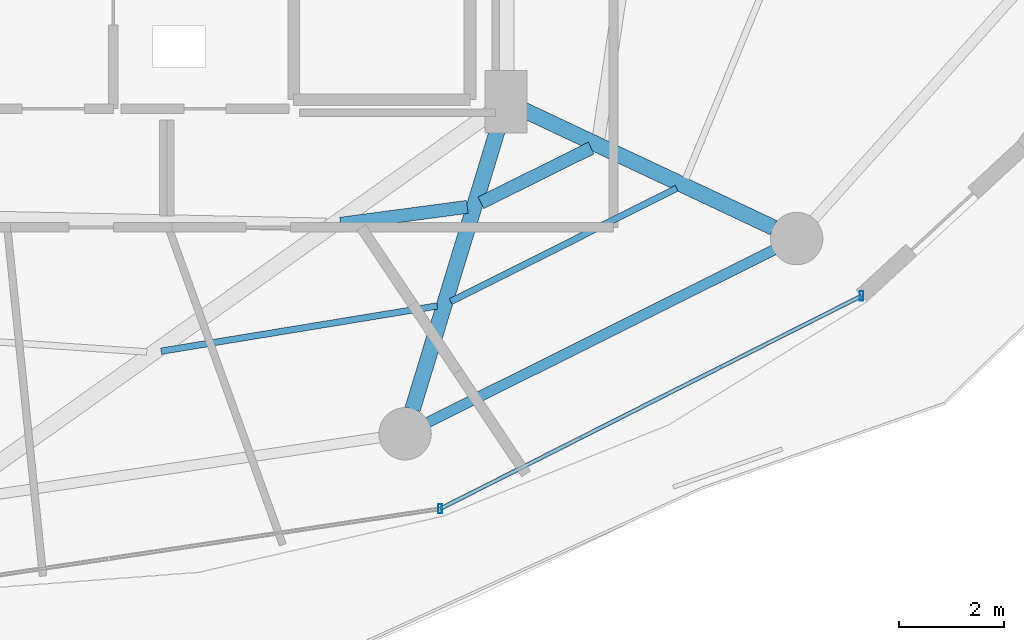
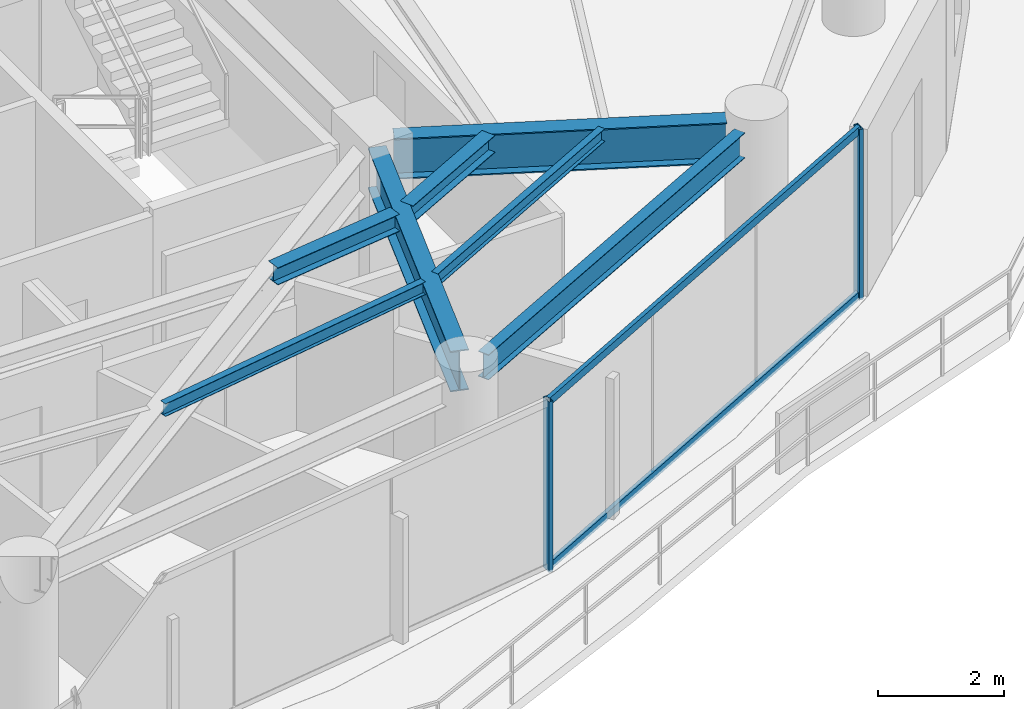
# One storey, part 10 of 29: 7 beams, 4 members, 1 element without a shape of its own.
"""IFC4 building model written with IfcOpenShell, lengths in metres."""

from ifc_helpers import new_model, si_unit, direction, frame, origin, origin_2d, place, context, subcontext, project, spatial, hollow_rectangle, i_section, extrude, material, material_profile, profile_set, type_object, element, aggregate, save


model = new_model("IFC4")

# Units and contexts
model_context = context("Model", 3, precision=1e-05, world=origin(), true_north=direction((0.0, 1.0)))
body_context = subcontext(model_context, "Body", "Model", "MODEL_VIEW")
ifc_project = project(units=[si_unit("LENGTHUNIT", "METRE"), si_unit("AREAUNIT", "SQUARE_METRE"), si_unit("VOLUMEUNIT", "CUBIC_METRE"), si_unit("PLANEANGLEUNIT", "RADIAN"), si_unit("MASSUNIT", "GRAM", prefix="KILO")], contexts=[model_context])

# Site, building, storey
site_placement = place(None, origin())
site = spatial("IfcSite", under=ifc_project, at=site_placement, CompositionType="ELEMENT")
building_placement = place(site_placement, origin())
building = spatial("IfcBuilding", under=site, at=building_placement, Name="Vorneva Point Tower", CompositionType="ELEMENT")
storey_placement = place(building_placement, frame((0.0, 0.0, 150.10009765625)))
storey = spatial("IfcBuildingStorey", under=building, at=storey_placement, Name="L40", CompositionType="ELEMENT", Elevation=150.10009765625)

# Beams
ifc_material_1 = material(Name="Steel S355", Category="steel")
ifc_material_profile_1 = material_profile(ifc_material_1, i_section(OverallWidth=0.300048828125, OverallDepth=0.7880859375, WebThickness=0.014404296875, FlangeThickness=0.02197265625, at=origin_2d()), Name="80Sh1")
ifc_profile_set_1 = profile_set([ifc_material_profile_1], Name="Steel S355")
beam_type_1 = type_object("IfcBeamType", Name="BM-GRD-80Sh1", PredefinedType="USERDEFINED", material=ifc_profile_set_1)
beam_1_placement = place(storey_placement, frame((46.962890625, 10.576171875, 2.845947265625), z_axis=(0.291049382966, 0.95670803105, 0.0), x_axis=(-0.95670803105, 0.291049382966, 0.0)))
element("IfcBeam", 1, at=beam_1_placement, inside=storey, type_object=beam_type_1, Name="L40 Radial Primary Girder 14", ObjectType="GIRDER", PredefinedType="USERDEFINED", context=body_context, shape_type="SweptSolid", body=[
    extrude(i_section(OverallWidth=0.300048828125, OverallDepth=0.7880859375, WebThickness=0.014404296875, FlangeThickness=0.02197265625, at=origin_2d()), origin(), (0.0, 0.0, 1.0), 5.799560546875),
])
beam_2_placement = place(storey_placement, frame((53.857421875, 14.045654296875, 2.845947265625), z_axis=(-0.904761331435, 0.425918927896, 0.0), x_axis=(-0.425918927896, -0.904761331435, 0.0)))
element("IfcBeam", 2, at=beam_2_placement, inside=storey, type_object=beam_type_1, Name="L40 Radial Primary Girder 15", ObjectType="GIRDER", PredefinedType="USERDEFINED", context=body_context, shape_type="SweptSolid", body=[
    extrude(i_section(OverallWidth=0.300048828125, OverallDepth=0.7880859375, WebThickness=0.014404296875, FlangeThickness=0.02197265625, at=origin_2d()), origin(), (0.0, 0.0, 1.0), 5.304931640625),
])
ifc_material_profile_2 = material_profile(ifc_material_1, i_section(OverallWidth=0.1240234375, OverallDepth=0.248046875, WebThickness=0.0048828125, FlangeThickness=0.008056640625, at=origin_2d()), Name="25B1")
ifc_profile_set_2 = profile_set([ifc_material_profile_2], Name="Steel S355")
beam_type_2 = type_object("IfcBeamType", Name="BM-JST-25B1", PredefinedType="JOIST", material=ifc_profile_set_2)
beam_3_placement = place(storey_placement, frame((42.160888671875, 11.686279296875, 3.115966796875), z_axis=(0.986812954533, 0.161864736014, 0.0), x_axis=(-0.161864736014, 0.986812954533, 0.0)))
element("IfcBeam", 3, at=beam_3_placement, inside=storey, type_object=beam_type_2, Name="L40 Secondary Floor Beam 1.13", PredefinedType="JOIST", context=body_context, shape_type="SweptSolid", body=[
    extrude(i_section(OverallWidth=0.1240234375, OverallDepth=0.248046875, WebThickness=0.0048828125, FlangeThickness=0.008056640625, at=origin_2d()), origin(), (0.0, 0.0, 1.0), 5.343994140625),
])
beam_4_placement = place(storey_placement, frame((47.694091796875, 12.635498046875, 3.115966796875), z_axis=(0.893940770693, 0.448185116322, 0.0), x_axis=(-0.448185116322, 0.893940770693, 0.0)))
element("IfcBeam", 4, at=beam_4_placement, inside=storey, type_object=beam_type_2, Name="L40 Secondary Floor Beam 1.14", PredefinedType="JOIST", context=body_context, shape_type="SweptSolid", body=[
    extrude(i_section(OverallWidth=0.1240234375, OverallDepth=0.248046875, WebThickness=0.0048828125, FlangeThickness=0.008056640625, at=origin_2d()), origin(), (0.0, 0.0, 1.0), 4.823486328125),
])
ifc_material_profile_3 = material_profile(ifc_material_1, i_section(OverallWidth=0.2490234375, OverallDepth=0.333984375, WebThickness=0.008056640625, FlangeThickness=0.010986328125, at=origin_2d()), Name="35Sh1")
ifc_profile_set_3 = profile_set([ifc_material_profile_3], Name="Steel S355")
beam_type_3 = type_object("IfcBeamType", Name="BM-SEC-35Sh1", PredefinedType="BEAM", material=ifc_profile_set_3)
beam_5_placement = place(storey_placement, frame((45.587158203125, 14.1201171875, 3.072998046875), z_axis=(0.991280212935, 0.131770783726, 0.0), x_axis=(-0.131770783726, 0.991280212935, 0.0)))
element("IfcBeam", 5, at=beam_5_placement, inside=storey, type_object=beam_type_3, Name="L40 Secondary Floor Beam 2.13", PredefinedType="BEAM", context=body_context, shape_type="SweptSolid", body=[
    extrude(i_section(OverallWidth=0.2490234375, OverallDepth=0.333984375, WebThickness=0.008056640625, FlangeThickness=0.010986328125, at=origin_2d()), origin(), (0.0, 0.0, 1.0), 2.44189453125),
])
beam_6_placement = place(storey_placement, frame((48.268310546875, 14.521484375, 3.072998046875), z_axis=(0.895835455774, 0.444385909068, 0.0), x_axis=(-0.444385909068, 0.895835455774, 0.0)))
element("IfcBeam", 6, at=beam_6_placement, inside=storey, type_object=beam_type_3, Name="L40 Secondary Floor Beam 2.14", PredefinedType="BEAM", context=body_context, shape_type="SweptSolid", body=[
    extrude(i_section(OverallWidth=0.2490234375, OverallDepth=0.333984375, WebThickness=0.008056640625, FlangeThickness=0.010986328125, at=origin_2d()), origin(), (0.0, 0.0, 1.0), 2.350341796875),
])
ifc_material_profile_4 = material_profile(ifc_material_1, i_section(OverallWidth=0.199951171875, OverallDepth=0.491943359375, WebThickness=0.0087890625, FlangeThickness=0.011962890625, at=origin_2d()), Name="50B1")
ifc_profile_set_4 = profile_set([ifc_material_profile_4], Name="Steel S355")
beam_type_4 = type_object("IfcBeamType", Name="BM-SPN-50B1", PredefinedType="SPANDREL", material=ifc_profile_set_4)
beam_7_placement = place(storey_placement, frame((47.2548828125, 10.32568359375, 2.993896484375), z_axis=(0.894929061397, 0.446208443518, 0.0), x_axis=(-0.446208443518, 0.894929061397, 0.0)))
element("IfcBeam", 7, at=beam_7_placement, inside=storey, type_object=beam_type_4, Name="L40 Perimeter Spandrel Ring Beam 14", PredefinedType="SPANDREL", context=body_context, shape_type="SweptSolid", body=[
    extrude(i_section(OverallWidth=0.199951171875, OverallDepth=0.491943359375, WebThickness=0.0087890625, FlangeThickness=0.011962890625, at=origin_2d()), origin(), (0.0, 0.0, 1.0), 7.385986328125),
])

# Curtain wall, members
ifc_material_2 = material(Name="Pale anodised aluminium", Category="aluminium")
curtain_wall_type = type_object("IfcCurtainWallType", Name="CW-RES-SYS", PredefinedType="NOTDEFINED", material=ifc_material_2)
curtain_wall_placement = place(storey_placement, origin())
curtain_wall = element("IfcCurtainWall", 8, at=curtain_wall_placement, inside=storey, type_object=curtain_wall_type, Name="L40 Unitised Curtain Wall CW-L40-R04", PredefinedType="NOTDEFINED")
ifc_material_profile_5 = material_profile(ifc_material_2, hollow_rectangle(XDim=0.074951171875, YDim=0.179931640625, WallThickness=0.00390625, at=origin_2d()), Name="AL-MUL 180x75x4")
ifc_profile_set_5 = profile_set([ifc_material_profile_5], Name="Pale anodised aluminium")
member_type_1 = type_object("IfcMemberType", Name="CW-MUL-180", PredefinedType="MULLION", material=ifc_profile_set_5)
member_1_placement = place(storey_placement, frame((47.490478515625, 8.67724609375, -0.0400390625), z_axis=(0.0, 0.0, 1.0), x_axis=(1.0, 0.0, 0.0)))
member_1 = element("IfcMember", 9, at=member_1_placement, type_object=member_type_1, Name="CW-L40-R04 Mullion 04", PredefinedType="MULLION", context=body_context, shape_type="SweptSolid", body=[
    extrude(hollow_rectangle(XDim=0.074951171875, YDim=0.179931640625, WallThickness=0.00390625, at=origin_2d()), origin(), (0.0, 0.0, 1.0), 3.31005859375),
])
member_2_placement = place(storey_placement, frame((55.5361328125, 12.74169921875, -0.0400390625), z_axis=(0.0, 0.0, 1.0), x_axis=(1.0, 0.0, 0.0)))
member_2 = element("IfcMember", 10, at=member_2_placement, type_object=member_type_1, Name="CW-L40-R04 Mullion 05", PredefinedType="MULLION", context=body_context, shape_type="SweptSolid", body=[
    extrude(hollow_rectangle(XDim=0.074951171875, YDim=0.179931640625, WallThickness=0.00390625, at=origin_2d()), origin(), (0.0, 0.0, 1.0), 3.31005859375),
])
ifc_material_profile_6 = material_profile(ifc_material_2, hollow_rectangle(XDim=0.074951171875, YDim=0.14990234375, WallThickness=0.00390625, at=origin_2d()), Name="AL-TRN 150x75x4")
ifc_profile_set_6 = profile_set([ifc_material_profile_6], Name="Pale anodised aluminium")
member_type_2 = type_object("IfcMemberType", Name="CW-TRN-150", PredefinedType="USERDEFINED", material=ifc_profile_set_6)
member_3_placement = place(storey_placement, frame((47.490478515625, 8.67724609375, 0.02001953125), z_axis=(0.892572392955, 0.450904117673, 0.0), x_axis=(-0.450904117673, 0.892572392955, 0.0)))
member_3 = element("IfcMember", 11, at=member_3_placement, type_object=member_type_2, Name="CW-L40-R04 Transom 04.1", ObjectType="TRANSOM", PredefinedType="USERDEFINED", context=body_context, shape_type="SweptSolid", body=[
    extrude(hollow_rectangle(XDim=0.074951171875, YDim=0.14990234375, WallThickness=0.00390625, at=origin_2d()), origin(), (0.0, 0.0, 1.0), 9.013916015625),
])
member_4_placement = place(storey_placement, frame((47.490478515625, 8.67724609375, 3.219970703125), z_axis=(0.892572392955, 0.450904117673, 0.0), x_axis=(-0.450904117673, 0.892572392955, 0.0)))
member_4 = element("IfcMember", 12, at=member_4_placement, type_object=member_type_2, Name="CW-L40-R04 Transom 04.2", ObjectType="TRANSOM", PredefinedType="USERDEFINED", context=body_context, shape_type="SweptSolid", body=[
    extrude(hollow_rectangle(XDim=0.074951171875, YDim=0.14990234375, WallThickness=0.00390625, at=origin_2d()), origin(), (0.0, 0.0, 1.0), 9.013916015625),
])
aggregate(curtain_wall, [member_1, member_2, member_3, member_4])

save(model, "model.ifc")
